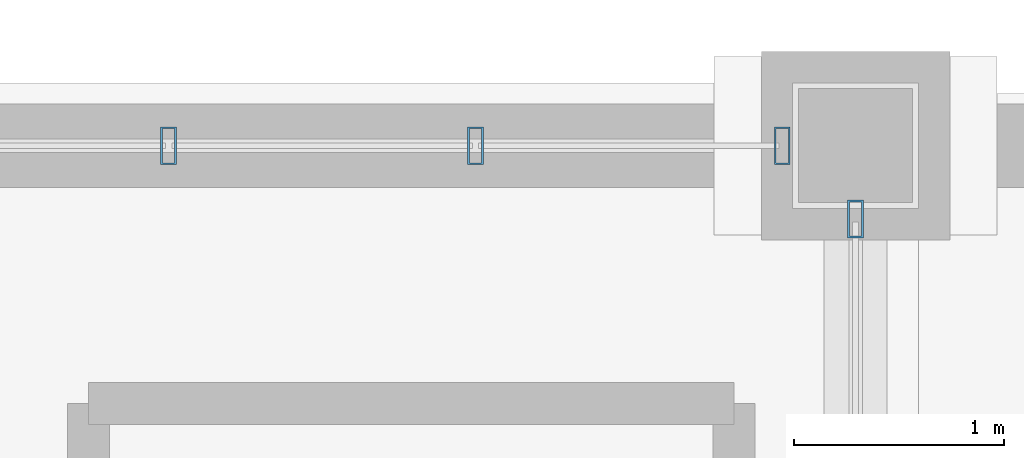
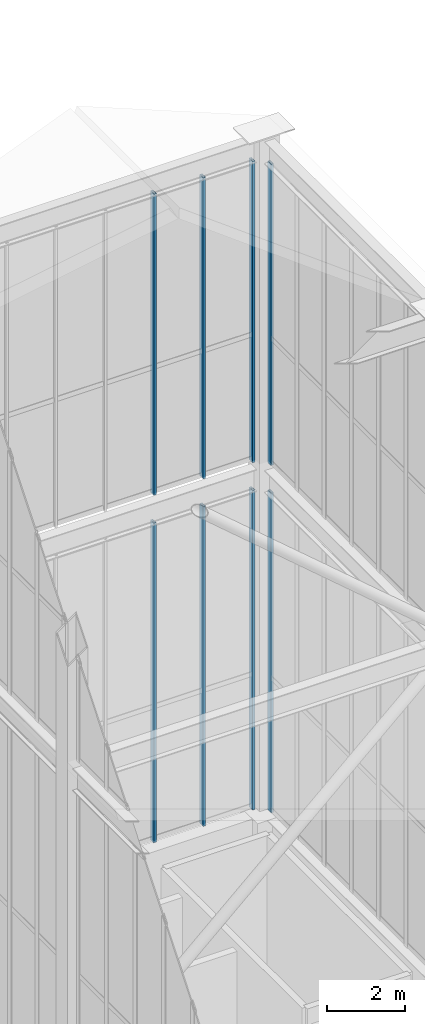
# One storey, part 26 of 135: 8 members, 4 elements without a shape of their own.
"""IFC4 building model written with IfcOpenShell, lengths in metres."""

from ifc_helpers import new_model, si_unit, direction, frame, origin, origin_2d, place, context, subcontext, project, spatial, hollow_rectangle, extrude, source, transform, mapped, material, layer, layer_set, material_profile, profile_set, type_object, element, aggregate, save


model = new_model("IFC4")

# Units and contexts
model_context = context("Model", 3, precision=1e-05, world=origin(), true_north=direction((0.0, 1.0)))
body_context = subcontext(model_context, "Body", "Model", "MODEL_VIEW")
ifc_project = project(units=[si_unit("LENGTHUNIT", "METRE"), si_unit("AREAUNIT", "SQUARE_METRE"), si_unit("VOLUMEUNIT", "CUBIC_METRE"), si_unit("PLANEANGLEUNIT", "RADIAN"), si_unit("MASSUNIT", "GRAM", prefix="KILO")], contexts=[model_context])

# Site, building, storey
site_placement = place(None, origin())
site = spatial("IfcSite", under=ifc_project, at=site_placement, CompositionType="ELEMENT")
building_placement = place(site_placement, origin())
building = spatial("IfcBuilding", under=site, at=building_placement, Name="Giltprow Tower", CompositionType="ELEMENT")
storey_placement = place(building_placement, frame((0.0, 0.0, 352.699951171875)))
storey = spatial("IfcBuildingStorey", under=building, at=storey_placement, Name="L92", CompositionType="ELEMENT", Elevation=352.699951171875)

# Curtain wall, member
ifc_material = material(Name="Anodized bronze", Category="metal")
ifc_layer = layer(ifc_material, 0.179931640625, Name="Anodized bronze")
ifc_layer_set = layer_set([ifc_layer], Name="Anodized bronze")
curtain_wall_type = type_object("IfcCurtainWallType", Name="CW-CROWN-LANTERN", PredefinedType="NOTDEFINED", material=ifc_layer_set)
curtain_wall_1_placement = place(storey_placement, origin())
curtain_wall_1 = element("IfcCurtainWall", 1, at=curtain_wall_1_placement, inside=storey, type_object=curtain_wall_type, Name="Crown West Lower Lantern Glazing 3", PredefinedType="NOTDEFINED")
ifc_material_profile = material_profile(ifc_material, hollow_rectangle(XDim=0.074951171875, YDim=0.179931640625, WallThickness=0.008056640625, at=origin_2d()), Name="RHS 180x75x8")
ifc_profile_set = profile_set([ifc_material_profile], Name="Anodized bronze")
member_type = type_object("IfcMemberType", Name="CW-MULLION-180x75", PredefinedType="MULLION", material=ifc_profile_set)
shared_shape_1 = source(origin(), body_context, "Body", "SweptSolid", [
    extrude(hollow_rectangle(XDim=0.074951171875, YDim=0.179931640625, WallThickness=0.008056640625, at=origin_2d()), origin(), (0.0, 0.0, 1.0), 10.030029296875),
])
member_1_placement = place(storey_placement, frame((30.800048828125, 46.199951171875, 6.35009765625), z_axis=(0.0, 0.0, 1.0), x_axis=(1.0, 0.0, 0.0)))
member_1 = element("IfcMember", 2, at=member_1_placement, type_object=member_type, Name="Crown West Lower Lantern Glazing 3 Mullion 7", PredefinedType="MULLION", context=body_context, shape_type="MappedRepresentation", body=[
    mapped(shared_shape_1, transform((0.0, 0.0, 0.0), x_axis=(1.0, 0.0, 0.0), y_axis=(0.0, 1.0, 0.0), z_axis=(0.0, 0.0, 1.0), scale=1.0)),
])
aggregate(curtain_wall_1, [member_1])

# Curtain wall, members
curtain_wall_2_placement = place(storey_placement, origin())
curtain_wall_2 = element("IfcCurtainWall", 3, at=curtain_wall_2_placement, inside=storey, type_object=curtain_wall_type, Name="Crown West Lower Lantern Glazing 4", PredefinedType="NOTDEFINED")
member_2_placement = place(storey_placement, frame((30.449951171875, 46.550048828125, 6.35009765625), z_axis=(0.0, 0.0, 1.0), x_axis=(1.0, 0.0, 0.0)))
member_2 = element("IfcMember", 4, at=member_2_placement, type_object=member_type, Name="Crown West Lower Lantern Glazing 4 Mullion 1", PredefinedType="MULLION", context=body_context, shape_type="MappedRepresentation", body=[
    mapped(shared_shape_1, transform((0.0, 0.0, 0.0), x_axis=(1.0, 0.0, 0.0), y_axis=(0.0, 1.0, 0.0), z_axis=(0.0, 0.0, 1.0), scale=1.0)),
])
member_3_placement = place(storey_placement, frame((28.986083984375, 46.550048828125, 6.35009765625), z_axis=(0.0, 0.0, 1.0), x_axis=(1.0, 0.0, 0.0)))
member_3 = element("IfcMember", 5, at=member_3_placement, type_object=member_type, Name="Crown West Lower Lantern Glazing 4 Mullion 2", PredefinedType="MULLION", context=body_context, shape_type="MappedRepresentation", body=[
    mapped(shared_shape_1, transform((0.0, 0.0, 0.0), x_axis=(1.0, 0.0, 0.0), y_axis=(0.0, 1.0, 0.0), z_axis=(0.0, 0.0, 1.0), scale=1.0)),
])
member_4_placement = place(storey_placement, frame((27.52099609375, 46.550048828125, 6.35009765625), z_axis=(0.0, 0.0, 1.0), x_axis=(1.0, 0.0, 0.0)))
member_4 = element("IfcMember", 6, at=member_4_placement, type_object=member_type, Name="Crown West Lower Lantern Glazing 4 Mullion 3", PredefinedType="MULLION", context=body_context, shape_type="MappedRepresentation", body=[
    mapped(shared_shape_1, transform((0.0, 0.0, 0.0), x_axis=(1.0, 0.0, 0.0), y_axis=(0.0, 1.0, 0.0), z_axis=(0.0, 0.0, 1.0), scale=1.0)),
])
aggregate(curtain_wall_2, [member_2, member_3, member_4])

# Curtain wall, member
curtain_wall_3_placement = place(storey_placement, origin())
curtain_wall_3 = element("IfcCurtainWall", 7, at=curtain_wall_3_placement, inside=storey, type_object=curtain_wall_type, Name="Crown West Upper Lantern Glazing 3", PredefinedType="NOTDEFINED")
shared_shape_2 = source(origin(), body_context, "Body", "SweptSolid", [
    extrude(hollow_rectangle(XDim=0.074951171875, YDim=0.179931640625, WallThickness=0.008056640625, at=origin_2d()), origin(), (0.0, 0.0, 1.0), 9.45703125),
])
member_5_placement = place(storey_placement, frame((30.800048828125, 46.199951171875, 17.25), z_axis=(0.0, 0.0, 1.0), x_axis=(1.0, 0.0, 0.0)))
member_5 = element("IfcMember", 8, at=member_5_placement, type_object=member_type, Name="Crown West Upper Lantern Glazing 3 Mullion 7", PredefinedType="MULLION", context=body_context, shape_type="MappedRepresentation", body=[
    mapped(shared_shape_2, transform((0.0, 0.0, 0.0), x_axis=(1.0, 0.0, 0.0), y_axis=(0.0, 1.0, 0.0), z_axis=(0.0, 0.0, 1.0), scale=1.0)),
])
aggregate(curtain_wall_3, [member_5])

# Curtain wall, members
curtain_wall_4_placement = place(storey_placement, origin())
curtain_wall_4 = element("IfcCurtainWall", 9, at=curtain_wall_4_placement, inside=storey, type_object=curtain_wall_type, Name="Crown West Upper Lantern Glazing 4", PredefinedType="NOTDEFINED")
member_6_placement = place(storey_placement, frame((30.449951171875, 46.550048828125, 17.25), z_axis=(0.0, 0.0, 1.0), x_axis=(1.0, 0.0, 0.0)))
member_6 = element("IfcMember", 10, at=member_6_placement, type_object=member_type, Name="Crown West Upper Lantern Glazing 4 Mullion 1", PredefinedType="MULLION", context=body_context, shape_type="MappedRepresentation", body=[
    mapped(shared_shape_2, transform((0.0, 0.0, 0.0), x_axis=(1.0, 0.0, 0.0), y_axis=(0.0, 1.0, 0.0), z_axis=(0.0, 0.0, 1.0), scale=1.0)),
])
member_7_placement = place(storey_placement, frame((28.986083984375, 46.550048828125, 17.25), z_axis=(0.0, 0.0, 1.0), x_axis=(1.0, 0.0, 0.0)))
member_7 = element("IfcMember", 11, at=member_7_placement, type_object=member_type, Name="Crown West Upper Lantern Glazing 4 Mullion 2", PredefinedType="MULLION", context=body_context, shape_type="MappedRepresentation", body=[
    mapped(shared_shape_2, transform((0.0, 0.0, 0.0), x_axis=(1.0, 0.0, 0.0), y_axis=(0.0, 1.0, 0.0), z_axis=(0.0, 0.0, 1.0), scale=1.0)),
])
member_8_placement = place(storey_placement, frame((27.52099609375, 46.550048828125, 17.25), z_axis=(0.0, 0.0, 1.0), x_axis=(1.0, 0.0, 0.0)))
member_8 = element("IfcMember", 12, at=member_8_placement, type_object=member_type, Name="Crown West Upper Lantern Glazing 4 Mullion 3", PredefinedType="MULLION", context=body_context, shape_type="MappedRepresentation", body=[
    mapped(shared_shape_2, transform((0.0, 0.0, 0.0), x_axis=(1.0, 0.0, 0.0), y_axis=(0.0, 1.0, 0.0), z_axis=(0.0, 0.0, 1.0), scale=1.0)),
])
aggregate(curtain_wall_4, [member_6, member_7, member_8])

save(model, "model.ifc")
